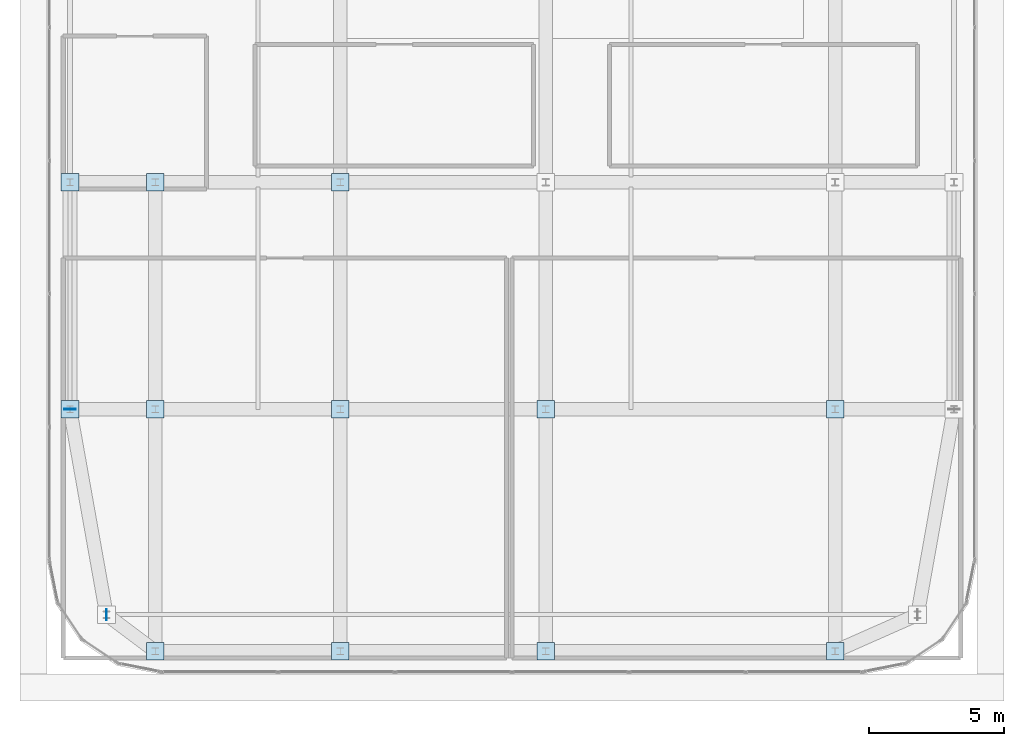
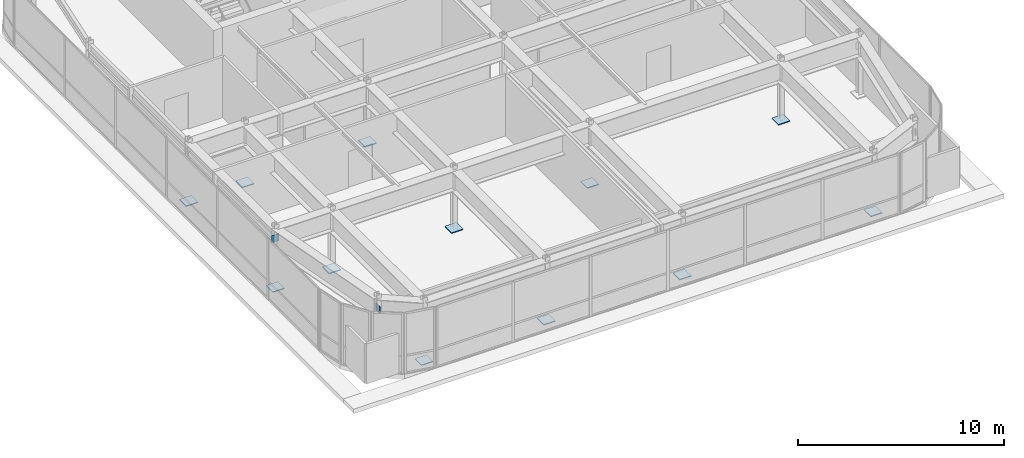
# One storey, part 29 of 35: 14 plates.
"""IFC4 building model written with IfcOpenShell, lengths in metres."""

import ifcopenshell
import ifcopenshell.guid

model = None  # the IFC model being written
_history = None  # IfcOwnerHistory: only IFC2X3 demands one
_inside = {}  # id of a spatial element -> (the spatial element, [elements in it])
_under = {}  # id of a project, library or spatial element -> (it, [spatial elements below it])
_declared = {}  # id of a project -> (the project, [libraries it declares])
_typed = {}  # id of a type object -> (the type object, [elements of that type])
_made_of = {}  # id of a material, layer set ... -> (it, [elements and type objects made of it])


def new_model(schema):
    """Start an empty IFC model of exactly this schema.

    Asked for "IFC4X3", IfcOpenShell would pick the latest addendum, in which some entities
    have other attributes; the version numbers below select the first issue.
    IFC2X3 requires an IfcOwnerHistory on every rooted entity: one is made here for all.
    """
    global model, _history
    if schema == "IFC4X3":
        model = ifcopenshell.file(schema_version=(4, 3, 0, 0))
    else:
        model = ifcopenshell.file(schema=schema)
    _inside.clear()
    _under.clear()
    _declared.clear()
    _typed.clear()
    _made_of.clear()
    _history = None
    if model.schema == "IFC2X3":
        org = make("IfcOrganization", Name="unknown")
        user = make(
            "IfcPersonAndOrganization",
            ThePerson=make("IfcPerson", FamilyName="unknown"),
            TheOrganization=org,
        )
        app = make(
            "IfcApplication",
            ApplicationDeveloper=org,
            Version="unknown",
            ApplicationFullName="unknown",
            ApplicationIdentifier="unknown",
        )
        _history = make(
            "IfcOwnerHistory",
            OwningUser=user,
            OwningApplication=app,
            ChangeAction="ADDED",
            CreationDate=0,
        )
    return model


def make(cls, **values):
    """One entity of the class cls with the attributes given. An attribute that is None is left unset."""
    return model.create_entity(
        cls, **{name: value for name, value in values.items() if value is not None}
    )


def rooted(cls, **values):
    """An entity with a GlobalId (a new one), such as an element, a storey or a relation."""
    return make(cls, GlobalId=ifcopenshell.guid.new(), OwnerHistory=_history, **values)


def si_unit(unit_type, name, prefix=None):
    """IfcSIUnit, for example si_unit("LENGTHUNIT", "METRE", prefix="MILLI")."""
    return make("IfcSIUnit", UnitType=unit_type, Prefix=prefix, Name=name)


def assignment(units):
    """IfcUnitAssignment: the units of a project."""
    return None if units is None else make("IfcUnitAssignment", Units=units)


def point(xyz):
    """IfcCartesianPoint."""
    return None if xyz is None else make("IfcCartesianPoint", Coordinates=xyz)


def direction(xyz):
    """IfcDirection."""
    return None if xyz is None else make("IfcDirection", DirectionRatios=xyz)


def frame(location, z_axis=None, x_axis=None):
    """IfcAxis2Placement3D, a coordinate frame: its origin and axes. An axis left out is left unset."""
    return make(
        "IfcAxis2Placement3D",
        Location=point(location),
        Axis=direction(z_axis),
        RefDirection=direction(x_axis),
    )


def frame_2d(location, x_axis=None):
    """IfcAxis2Placement2D, a coordinate frame in the plane: its origin and x axis."""
    return make(
        "IfcAxis2Placement2D", Location=point(location), RefDirection=direction(x_axis)
    )


def origin():
    """The frame at (0, 0, 0) with its axes left unset."""
    return frame((0.0, 0.0, 0.0))


def origin_2d():
    """The frame at (0, 0) in the plane with its x axis left unset."""
    return frame_2d((0.0, 0.0))


def place(relative_to, where):
    """IfcLocalPlacement: puts the frame where relative to a parent placement (None: the world)."""
    return make(
        "IfcLocalPlacement", PlacementRelTo=relative_to, RelativePlacement=where
    )


def context(
    kind, dimensions, precision=None, world=None, true_north=None, identifier=None
):
    """IfcGeometricRepresentationContext, for example the 3D "Model" context."""
    return make(
        "IfcGeometricRepresentationContext",
        ContextIdentifier=identifier,
        ContextType=kind,
        CoordinateSpaceDimension=dimensions,
        Precision=precision,
        WorldCoordinateSystem=world,
        TrueNorth=true_north,
    )


def subcontext(parent, identifier, kind, view, scale=None):
    """IfcGeometricRepresentationSubContext, for example "Body" below "Model"."""
    return make(
        "IfcGeometricRepresentationSubContext",
        ContextIdentifier=identifier,
        ContextType=kind,
        ParentContext=parent,
        TargetScale=scale,
        TargetView=view,
    )


def project(units=None, contexts=None):
    """IfcProject with its units and contexts."""
    return rooted(
        "IfcProject",
        Name="project",
        RepresentationContexts=contexts,
        UnitsInContext=assignment(units),
    )


def spatial(cls, under=None, at=None, **own):
    """A site, building, storey or space (cls), placed at a placement, below another one or the project."""
    s = rooted(cls, ObjectPlacement=at, **own)
    if under is not None:
        _under.setdefault(under.id(), (under, []))[1].append(s)
    return s


def profile(cls, at=None, kind="AREA", **sizes):
    """A parametric profile (cls). Its sizes go by their IFC names, for example OverallWidth=200.0."""
    return make(cls, ProfileType=kind, Position=at, **sizes)


def rectangle(**sizes):
    """IfcRectangleProfileDef."""
    return profile("IfcRectangleProfileDef", **sizes)


def extrude(swept, where, along, depth):
    """IfcExtrudedAreaSolid: the profile swept, set in the frame where, extruded along a direction by depth."""
    return make(
        "IfcExtrudedAreaSolid",
        SweptArea=swept,
        Position=where,
        ExtrudedDirection=direction(along),
        Depth=depth,
    )


def shape(context_of_items, identifier, shape_type, items):
    """IfcShapeRepresentation: the items that make up one representation, for example the "Body"."""
    return make(
        "IfcShapeRepresentation",
        ContextOfItems=context_of_items,
        RepresentationIdentifier=identifier,
        RepresentationType=shape_type,
        Items=items,
    )


def source(mapping_origin, context_of_items, identifier, shape_type, items):
    """IfcRepresentationMap: a shape defined once, which mapped items show again and again."""
    return make(
        "IfcRepresentationMap",
        MappingOrigin=mapping_origin,
        MappedRepresentation=shape(context_of_items, identifier, shape_type, items),
    )


def transform(
    local_origin,
    x_axis=None,
    y_axis=None,
    z_axis=None,
    scale=None,
    scale2=None,
    scale3=None,
    uniform=True,
):
    """IfcCartesianTransformationOperator3D, or its non-uniform kind. x_axis, y_axis, z_axis: its Axis1, 2, 3."""
    if uniform:
        return make(
            "IfcCartesianTransformationOperator3D",
            Axis1=direction(x_axis),
            Axis2=direction(y_axis),
            LocalOrigin=point(local_origin),
            Scale=scale,
            Axis3=direction(z_axis),
        )
    return make(
        "IfcCartesianTransformationOperator3DnonUniform",
        Axis1=direction(x_axis),
        Axis2=direction(y_axis),
        LocalOrigin=point(local_origin),
        Scale=scale,
        Axis3=direction(z_axis),
        Scale2=scale2,
        Scale3=scale3,
    )


def mapped(mapping_source, mapping_target):
    """IfcMappedItem: shows the shape of a source again, moved by a transform."""
    return make(
        "IfcMappedItem", MappingSource=mapping_source, MappingTarget=mapping_target
    )


def material(Name=None, Category=None):
    """IfcMaterial."""
    return make("IfcMaterial", Name=Name, Category=Category)


def layer(
    of_material, thickness, ventilated=None, Name=None, Category=None, Priority=None
):
    """IfcMaterialLayer: one layer of a wall or slab, of a material (None: an air gap)."""
    return make(
        "IfcMaterialLayer",
        Material=of_material,
        LayerThickness=thickness,
        IsVentilated=ventilated,
        Name=Name,
        Category=Category,
        Priority=Priority,
    )


def layer_set(layers, Name=None):
    """IfcMaterialLayerSet."""
    return make("IfcMaterialLayerSet", MaterialLayers=layers, LayerSetName=Name)


def made_of(thing, what):
    """Note that an element or type object is made of a material, layer set ...; save() writes the relation."""
    if what is not None:
        _made_of.setdefault(what.id(), (what, []))[1].append(thing)
    return thing


def type_object(cls, material=None, **own):
    """A type object (cls), such as IfcWallType, which elements share."""
    return made_of(rooted(cls, **own), material)


def type_shapes(of_type, sources):
    """Give a type object the sources (RepresentationMaps) that its elements show as mapped items."""
    of_type.RepresentationMaps = sources


def element(
    cls,
    number,
    at=None,
    inside=None,
    cuts=None,
    type_object=None,
    material=None,
    context=None,
    identifier="Body",
    shape_type=None,
    held_by="IfcProductDefinitionShape",
    body=None,
    shapes=None,
    **own,
):
    """One element of the class cls, such as IfcWall. Its Tag is "e" and its number.

    at: its placement. inside: the storey or other place that contains it. cuts: it is an
    opening in that element (IfcRelVoidsElement). A single representation is given by context,
    identifier, shape_type and body (its items); several are given by shapes. held_by: the class
    of the entity that holds the representations. save() writes the other relations.
    """
    e = rooted(cls, Tag="e%d" % number, ObjectPlacement=at, **own)
    if body is not None:
        shapes = [shape(context, identifier, shape_type, body)]
    if shapes is not None:
        e.Representation = make(held_by, Representations=shapes)
    if inside is not None:
        _inside.setdefault(inside.id(), (inside, []))[1].append(e)
    if cuts is not None:
        rooted(
            "IfcRelVoidsElement", RelatingBuildingElement=cuts, RelatedOpeningElement=e
        )
    if type_object is not None:
        _typed.setdefault(type_object.id(), (type_object, []))[1].append(e)
    return made_of(e, material)


def aggregate(whole, parts):
    """IfcRelAggregates: a whole, such as a stair, and the parts it consists of."""
    return rooted("IfcRelAggregates", RelatingObject=whole, RelatedObjects=parts)


def save(model, path):
    """Write the relations noted so far, then the file.

    IfcRelAggregates (storeys below a building ...), IfcRelContainedInSpatialStructure (elements
    in a storey), IfcRelDefinesByType, IfcRelAssociatesMaterial and IfcRelDeclares: one each for
    every whole, place, type object, material and project.
    """
    for whole, parts in _under.values():
        aggregate(whole, parts)
    for where, things in _inside.values():
        rooted(
            "IfcRelContainedInSpatialStructure",
            RelatedElements=things,
            RelatingStructure=where,
        )
    for kind, things in _typed.values():
        rooted("IfcRelDefinesByType", RelatedObjects=things, RelatingType=kind)
    for what, things in _made_of.values():
        rooted("IfcRelAssociatesMaterial", RelatedObjects=things, RelatingMaterial=what)
    for by, libraries in _declared.values():
        rooted("IfcRelDeclares", RelatingContext=by, RelatedDefinitions=libraries)
    model.write(path)


model = new_model("IFC4")

# Units and contexts
model_context = context("Model", 3, precision=1e-05, world=origin(), true_north=direction((0.0, 1.0)))
body_context = subcontext(model_context, "Body", "Model", "MODEL_VIEW")
ifc_project = project(units=[si_unit("LENGTHUNIT", "METRE"), si_unit("AREAUNIT", "SQUARE_METRE"), si_unit("VOLUMEUNIT", "CUBIC_METRE"), si_unit("PLANEANGLEUNIT", "RADIAN"), si_unit("MASSUNIT", "GRAM", prefix="KILO")], contexts=[model_context])

# Site, building, storey
site_placement = place(None, origin())
site = spatial("IfcSite", under=ifc_project, at=site_placement, CompositionType="ELEMENT")
building_placement = place(site_placement, origin())
building = spatial("IfcBuilding", under=site, at=building_placement, Name="Tolvann Quenvar Hotel", CompositionType="ELEMENT")
storey_placement = place(building_placement, frame((0.0, 0.0, 290.949951171875)))
storey = spatial("IfcBuildingStorey", under=building, at=storey_placement, Name="L77", CompositionType="ELEMENT", Elevation=290.949951171875)

# Plates
ifc_material = material(Name="Steel Grade 350", Category="steel")
ifc_layer_1 = layer(ifc_material, 0.050048828125)
ifc_layer_set_1 = layer_set([ifc_layer_1], Name="Steel Grade 350")
plate_type_1 = type_object("IfcPlateType", Name="PLT_BASE_50", PredefinedType="SHEET", material=ifc_layer_set_1)
shared_shape_1 = source(origin(), body_context, "Body", "SweptSolid", [
    extrude(rectangle(XDim=0.64990234375, YDim=0.64990234375, at=origin_2d()), origin(), (0.0, 0.0, 1.0), 0.050048828125),
])
type_shapes(plate_type_1, [shared_shape_1])
for number, where, z_axis, x_axis, name in (
    (1, (4.449951171875, 16.0, 0.0), (0.0, 0.0, 1.0), (1.0, 0.0, 0.0), "Crown Frame Base Plate B4"),
    (2, (4.449951171875, 24.39990234375, 0.0), (0.0, 0.0, 1.0), (1.0, 0.0, 0.0), "Crown Frame Base Plate B5"),
    (3, (7.60009765625, 7.050048828125, 0.0), (0.0, 0.0, 1.0), (1.0, 0.0, 0.0), "Crown Frame Base Plate C2"),
    (4, (7.60009765625, 16.0, 0.0), (0.0, 0.0, 1.0), (1.0, 0.0, 0.0), "Crown Frame Base Plate C4"),
    (5, (7.60009765625, 24.39990234375, 0.0), (0.0, 0.0, 1.0), (1.0, 0.0, 0.0), "Crown Frame Base Plate C5"),
    (6, (14.449951171875, 7.050048828125, 0.0), (0.0, 0.0, 1.0), (1.0, 0.0, 0.0), "Crown Frame Base Plate D2"),
    (7, (14.449951171875, 16.0, 0.0), (0.0, 0.0, 1.0), (1.0, 0.0, 0.0), "Crown Frame Base Plate D4"),
    (8, (14.449951171875, 24.39990234375, 0.0), (0.0, 0.0, 1.0), (1.0, 0.0, 0.0), "Crown Frame Base Plate D5"),
    (9, (22.050048828125, 7.050048828125, 0.0), (0.0, 0.0, 1.0), (1.0, 0.0, 0.0), "Crown Frame Base Plate E2"),
    (10, (22.050048828125, 16.0, 0.0), (0.0, 0.0, 1.0), (1.0, 0.0, 0.0), "Crown Frame Base Plate E4"),
    (11, (32.75, 7.050048828125, 0.0), (0.0, 0.0, 1.0), (1.0, 0.0, 0.0), "Crown Frame Base Plate FP2"),
    (12, (32.75, 16.0, 0.0), (0.0, 0.0, 1.0), (1.0, 0.0, 0.0), "Crown Frame Base Plate FP4"),
):
    element("IfcPlate", number, at=place(storey_placement, frame(where, z_axis=z_axis, x_axis=x_axis)), inside=storey, type_object=plate_type_1, Name=name, PredefinedType="SHEET", context=body_context, shape_type="MappedRepresentation", body=[
        mapped(shared_shape_1, transform((0.0, 0.0, 0.0), x_axis=(1.0, 0.0, 0.0), y_axis=(0.0, 1.0, 0.0), z_axis=(0.0, 0.0, 1.0), scale=1.0)),
    ])
ifc_layer_2 = layer(ifc_material, 0.02490234375)
ifc_layer_set_2 = layer_set([ifc_layer_2], Name="Steel Grade 350")
plate_type_2 = type_object("IfcPlateType", Name="PLT_ENDCAP_25", PredefinedType="SHEET", material=ifc_layer_set_2)
shared_shape_2 = source(origin(), body_context, "Body", "SweptSolid", [
    extrude(rectangle(XDim=0.02490234375, YDim=0.419921875, at=origin_2d()), origin(), (0.0, 0.0, 1.0), 0.419921875),
])
plate_1_placement = place(storey_placement, frame((5.800048828125, 8.39990234375, 2.719970703125), z_axis=(0.0, 0.0, 1.0), x_axis=(1.0, 0.0, 0.0)))
element("IfcPlate", 13, at=plate_1_placement, inside=storey, type_object=plate_type_2, Name="Crown Ring End Cap Plate EC-1 (L77-1-1)", PredefinedType="SHEET", context=body_context, shape_type="MappedRepresentation", body=[
    mapped(shared_shape_2, transform((0.0, 0.0, 0.0), x_axis=(1.0, 0.0, 0.0), y_axis=(0.0, 1.0, 0.0), z_axis=(0.0, 0.0, 1.0), scale=1.0)),
])
shared_shape_3 = source(origin(), body_context, "Body", "SweptSolid", [
    extrude(rectangle(XDim=0.419921875, YDim=0.02490234375, at=origin_2d()), origin(), (0.0, 0.0, 1.0), 0.419921875),
])
type_shapes(plate_type_2, [shared_shape_2, shared_shape_3])
plate_2_placement = place(storey_placement, frame((4.449951171875, 16.0, 2.719970703125), z_axis=(0.0, 0.0, 1.0), x_axis=(1.0, 0.0, 0.0)))
element("IfcPlate", 14, at=plate_2_placement, inside=storey, type_object=plate_type_2, Name="Crown Ring End Cap Plate EC-1 (L77-2-1)", PredefinedType="SHEET", context=body_context, shape_type="MappedRepresentation", body=[
    mapped(shared_shape_3, transform((0.0, 0.0, 0.0), x_axis=(1.0, 0.0, 0.0), y_axis=(0.0, 1.0, 0.0), z_axis=(0.0, 0.0, 1.0), scale=1.0)),
])

save(model, "model.ifc")
